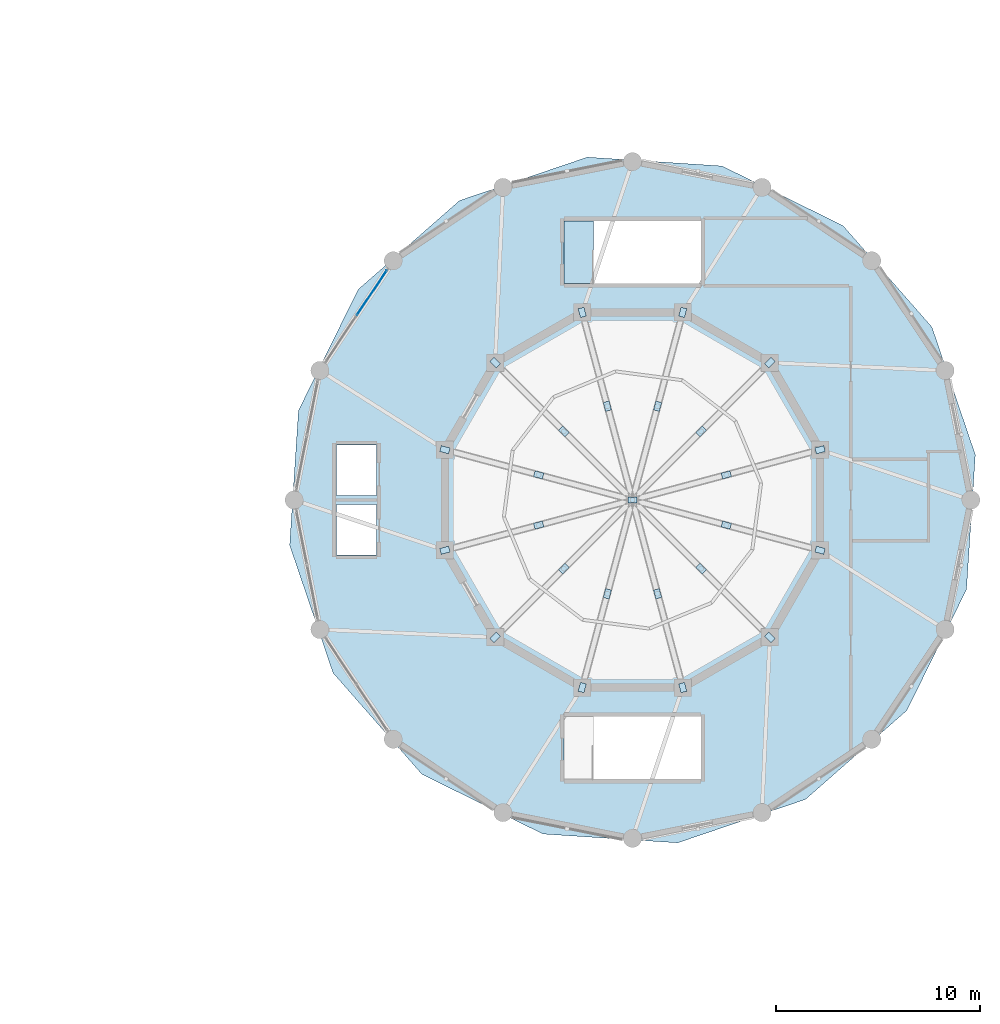
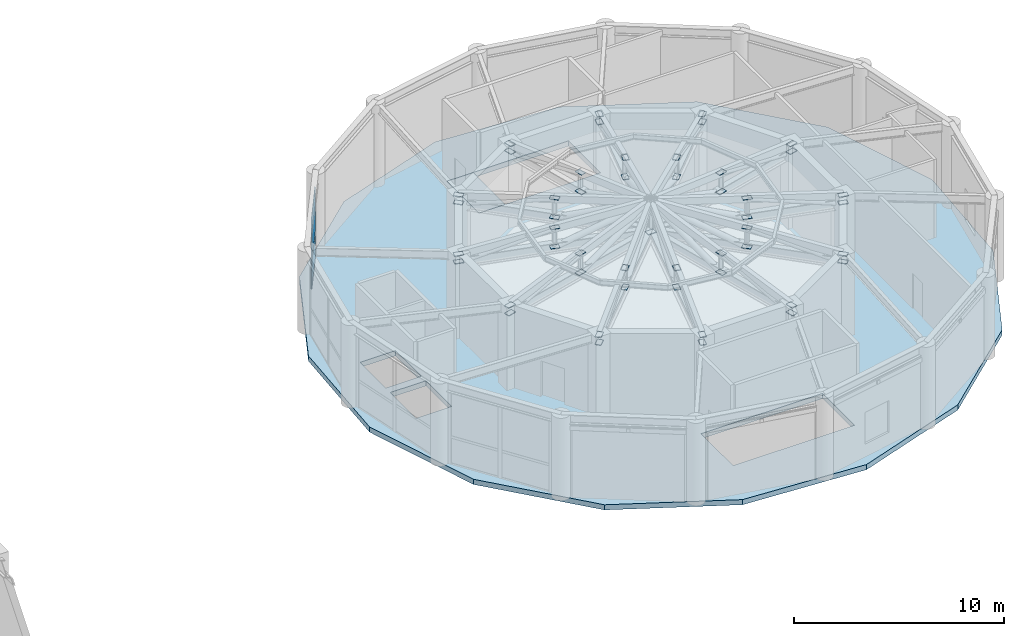
# One storey, part 14 of 26: 51 plates, 2 slabs, 1 element without a shape of its own.
"""IFC4 building model written with IfcOpenShell, lengths in metres."""

from ifc_helpers import new_model, si_unit, derived_unit, direction, frame, origin, origin_2d, place, context, subcontext, project, spatial, polyline, rectangle, outline, extrude, source, transform, mapped, material, layer, layer_set, type_object, element, aggregate, save


model = new_model("IFC4")

# Units and contexts
model_context = context("Model", 3, precision=1e-05, world=origin(), true_north=direction((0.0, 1.0)))
body_context = subcontext(model_context, "Body", "Model", "MODEL_VIEW")
ifc_project = project(units=[si_unit("LENGTHUNIT", "METRE"), si_unit("AREAUNIT", "SQUARE_METRE"), si_unit("VOLUMEUNIT", "CUBIC_METRE"), si_unit("PLANEANGLEUNIT", "RADIAN"), si_unit("MASSUNIT", "GRAM", prefix="KILO"), derived_unit("THERMALTRANSMITTANCEUNIT", [(si_unit("POWERUNIT", "WATT"), 1), (si_unit("LENGTHUNIT", "METRE"), -2), (si_unit("THERMODYNAMICTEMPERATUREUNIT", "KELVIN"), -1)])], contexts=[model_context])

# Site, building, storey
site_placement = place(None, origin())
site = spatial("IfcSite", under=ifc_project, at=site_placement, CompositionType="ELEMENT")
building_placement = place(site_placement, origin())
building = spatial("IfcBuilding", under=site, at=building_placement, Name="Korsvarv Bourse and Concert Hall", CompositionType="ELEMENT")
storey_placement = place(building_placement, frame((0.0, 0.0, 19.199951171875)))
storey = spatial("IfcBuildingStorey", under=building, at=storey_placement, Name="L04", CompositionType="ELEMENT", Elevation=19.199951171875)

# Slabs
ifc_material_1 = material(Name="Concrete C45/55", Category="concrete")
ifc_layer_1 = layer(ifc_material_1, 0.300048828125)
ifc_layer_set_1 = layer_set([ifc_layer_1], Name="Concrete C45/55")
slab_type_1 = type_object("IfcSlabType", Name="SLB-CH0", PredefinedType="FLOOR", material=ifc_layer_set_1)
slab_1_placement = place(storey_placement, frame((0.0, 0.0, -0.300048828125)))
element("IfcSlab", 1, at=slab_1_placement, inside=storey, type_object=slab_type_1, Name="L04 Concert Hall floor slab", PredefinedType="FLOOR", context=body_context, shape_type="SweptSolid", body=[
    extrude(outline(polyline([(123.572509765625, 38.2080078125), (121.45068359375, 44.45849609375), (117.098388671875, 49.42138671875), (111.178466796875, 52.3408203125), (104.591796875, 52.7724609375), (98.34130859375, 50.650634765625), (93.378662109375, 46.298583984375), (90.459228515625, 40.37841796875), (90.027587890625, 33.7919921875), (92.1494140625, 27.54150390625), (96.50146484375, 22.57861328125), (102.42138671875, 19.6591796875), (109.008056640625, 19.2275390625), (115.258544921875, 21.349365234375), (120.22119140625, 25.701416015625), (123.140625, 31.62158203125), (123.572509765625, 38.2080078125)]), holes=[polyline([(103.449951171875, 46.60009765625), (110.14990234375, 46.60009765625), (110.14990234375, 49.659912109375), (103.449951171875, 49.659912109375), (103.449951171875, 46.60009765625)]), polyline([(103.449951171875, 22.340087890625), (110.14990234375, 22.340087890625), (110.14990234375, 25.39990234375), (103.449951171875, 25.39990234375), (103.449951171875, 22.340087890625)]), polyline([(92.320068359375, 36.219970703125), (94.280029296875, 36.219970703125), (94.280029296875, 38.679931640625), (92.320068359375, 38.679931640625), (92.320068359375, 36.219970703125)]), polyline([(92.320068359375, 33.320068359375), (94.280029296875, 33.320068359375), (94.280029296875, 35.780029296875), (92.320068359375, 35.780029296875), (92.320068359375, 33.320068359375)])]), origin(), (0.0, 0.0, 1.0), 0.300048828125),
])
ifc_material_2 = material(Name="Precast concrete C45/55", Category="concrete")
ifc_layer_2 = layer(ifc_material_2, 0.199951171875)
ifc_layer_set_2 = layer_set([ifc_layer_2], Name="Precast concrete C45/55")
slab_type_2 = type_object("IfcSlabType", Name="SLB-FLND-T", PredefinedType="LANDING", material=ifc_layer_set_2)
slab_2_placement = place(storey_placement, frame((0.0, 0.0, -0.199951171875)))
element("IfcSlab", 2, at=slab_2_placement, inside=storey, type_object=slab_type_2, Name="L04 Stair ST-CH1 Floor Landing Slab", PredefinedType="LANDING", context=body_context, shape_type="SweptSolid", body=[
    extrude(outline(polyline([(103.449951171875, 46.60009765625), (104.89990234375, 46.60009765625), (104.89990234375, 49.659912109375), (103.449951171875, 49.659912109375), (103.449951171875, 46.60009765625)])), origin(), (0.0, 0.0, 1.0), 0.199951171875),
])

# Plates
ifc_material_3 = material(Name="Steel S355", Category="steel")
ifc_layer_3 = layer(ifc_material_3, 0.02197265625)
ifc_layer_set_3 = layer_set([ifc_layer_3], Name="Steel S355")
plate_type_1 = type_object("IfcPlateType", Name="PLT-KN7", PredefinedType="SHEET", material=ifc_layer_set_3)
shared_shape_1 = source(origin(), body_context, "Body", "SweptSolid", [
    extrude(rectangle(XDim=0.449951171875, YDim=0.300048828125, at=origin_2d()), origin(), (0.0, 0.0, 1.0), 0.02197265625),
])
for number, where, z_axis, x_axis, name in (
    (3, (115.976318359375, 38.458740234375, 4.589111328125), (0.0, 0.0, 1.0), (0.965925826289, 0.258819045103, 0.0), "L04 node cap plate KN7"),
    (4, (115.976318359375, 38.458740234375, 4.13916015625), (0.0, 0.0, 1.0), (0.965925826289, 0.258819045103, 0.0), "L04 node cap plate KN7"),
    (5, (111.38818359375, 37.2294921875, 5.26904296875), (0.0, 0.0, 1.0), (0.965925826289, 0.258819045103, 0.0), "L04 node cap plate KN7"),
    (6, (111.38818359375, 37.2294921875, 4.13916015625), (0.0, 0.0, 1.0), (0.965925826289, 0.258819045103, 0.0), "L04 node cap plate KN7"),
    (7, (102.2119140625, 34.7705078125, 4.13916015625), (0.0, 0.0, 1.0), (0.965925826289, 0.258819045103, 0.0), "L04 node cap plate KN7"),
    (8, (97.623779296875, 33.541259765625, 4.589111328125), (0.0, 0.0, 1.0), (0.965925826289, 0.258819045103, 0.0), "L04 node cap plate KN7"),
    (9, (97.623779296875, 33.541259765625, 4.13916015625), (0.0, 0.0, 1.0), (0.965925826289, 0.258819045103, 0.0), "L04 node cap plate KN7"),
    (10, (102.2119140625, 34.7705078125, 5.26904296875), (0.0, 0.0, 1.0), (0.965925826289, 0.258819045103, 0.0), "L04 node cap plate KN7"),
    (11, (106.800048828125, 36.0, 4.13916015625), (0.0, 0.0, 1.0), (1.0, 0.0, 0.0), "L04 node cap plate KN7"),
    (12, (113.517578125, 42.717529296875, 4.589111328125), (0.0, 0.0, 1.0), (0.707106781187, 0.707106781187, 0.0), "L04 node cap plate KN7"),
    (13, (113.517578125, 42.717529296875, 4.13916015625), (0.0, 0.0, 1.0), (0.707106781187, 0.707106781187, 0.0), "L04 node cap plate KN7"),
    (14, (110.15869140625, 39.35888671875, 5.26904296875), (0.0, 0.0, 1.0), (0.707106781187, 0.707106781187, 0.0), "L04 node cap plate KN7"),
    (15, (110.15869140625, 39.35888671875, 4.13916015625), (0.0, 0.0, 1.0), (0.707106781187, 0.707106781187, 0.0), "L04 node cap plate KN7"),
    (16, (103.441162109375, 32.64111328125, 4.13916015625), (0.0, 0.0, 1.0), (0.707106781187, 0.707106781187, 0.0), "L04 node cap plate KN7"),
    (17, (100.08251953125, 29.282470703125, 4.589111328125), (0.0, 0.0, 1.0), (0.707106781187, 0.707106781187, 0.0), "L04 node cap plate KN7"),
    (18, (100.08251953125, 29.282470703125, 4.13916015625), (0.0, 0.0, 1.0), (0.707106781187, 0.707106781187, 0.0), "L04 node cap plate KN7"),
    (19, (103.441162109375, 32.64111328125, 5.26904296875), (0.0, 0.0, 1.0), (0.707106781187, 0.707106781187, 0.0), "L04 node cap plate KN7"),
    (20, (109.2587890625, 45.17626953125, 4.589111328125), (0.0, 0.0, 1.0), (0.258819045103, 0.965925826289, 0.0), "L04 node cap plate KN7"),
    (21, (109.2587890625, 45.17626953125, 4.13916015625), (0.0, 0.0, 1.0), (0.258819045103, 0.965925826289, 0.0), "L04 node cap plate KN7"),
    (22, (108.029296875, 40.588134765625, 5.26904296875), (0.0, 0.0, 1.0), (0.258819045103, 0.965925826289, 0.0), "L04 node cap plate KN7"),
    (23, (108.029296875, 40.588134765625, 4.13916015625), (0.0, 0.0, 1.0), (0.258819045103, 0.965925826289, 0.0), "L04 node cap plate KN7"),
    (24, (105.570556640625, 31.411865234375, 4.13916015625), (0.0, 0.0, 1.0), (0.258819045103, 0.965925826289, 0.0), "L04 node cap plate KN7"),
    (25, (104.34130859375, 26.82373046875, 4.589111328125), (0.0, 0.0, 1.0), (0.258819045103, 0.965925826289, 0.0), "L04 node cap plate KN7"),
    (26, (104.34130859375, 26.82373046875, 4.13916015625), (0.0, 0.0, 1.0), (0.258819045103, 0.965925826289, 0.0), "L04 node cap plate KN7"),
    (27, (105.570556640625, 31.411865234375, 5.26904296875), (0.0, 0.0, 1.0), (0.258819045103, 0.965925826289, 0.0), "L04 node cap plate KN7"),
    (28, (104.34130859375, 45.17626953125, 4.589111328125), (0.0, 0.0, 1.0), (-0.258819045103, 0.965925826289, 0.0), "L04 node cap plate KN7"),
    (29, (104.34130859375, 45.17626953125, 4.13916015625), (0.0, 0.0, 1.0), (-0.258819045103, 0.965925826289, 0.0), "L04 node cap plate KN7"),
    (30, (105.570556640625, 40.588134765625, 5.26904296875), (0.0, 0.0, 1.0), (-0.258819045103, 0.965925826289, 0.0), "L04 node cap plate KN7"),
    (31, (105.570556640625, 40.588134765625, 4.13916015625), (0.0, 0.0, 1.0), (-0.258819045103, 0.965925826289, 0.0), "L04 node cap plate KN7"),
    (32, (108.029296875, 31.411865234375, 4.13916015625), (0.0, 0.0, 1.0), (-0.258819045103, 0.965925826289, 0.0), "L04 node cap plate KN7"),
    (33, (109.2587890625, 26.82373046875, 4.589111328125), (0.0, 0.0, 1.0), (-0.258819045103, 0.965925826289, 0.0), "L04 node cap plate KN7"),
    (34, (109.2587890625, 26.82373046875, 4.13916015625), (0.0, 0.0, 1.0), (-0.258819045103, 0.965925826289, 0.0), "L04 node cap plate KN7"),
    (35, (108.029296875, 31.411865234375, 5.26904296875), (0.0, 0.0, 1.0), (-0.258819045103, 0.965925826289, 0.0), "L04 node cap plate KN7"),
    (36, (100.08251953125, 42.717529296875, 4.589111328125), (0.0, 0.0, 1.0), (-0.707106781187, 0.707106781187, 0.0), "L04 node cap plate KN7"),
    (37, (100.08251953125, 42.717529296875, 4.13916015625), (0.0, 0.0, 1.0), (-0.707106781187, 0.707106781187, 0.0), "L04 node cap plate KN7"),
    (38, (103.441162109375, 39.35888671875, 5.26904296875), (0.0, 0.0, 1.0), (-0.707106781187, 0.707106781187, 0.0), "L04 node cap plate KN7"),
    (39, (103.441162109375, 39.35888671875, 4.13916015625), (0.0, 0.0, 1.0), (-0.707106781187, 0.707106781187, 0.0), "L04 node cap plate KN7"),
    (40, (110.15869140625, 32.64111328125, 4.13916015625), (0.0, 0.0, 1.0), (-0.707106781187, 0.707106781187, 0.0), "L04 node cap plate KN7"),
    (41, (113.517578125, 29.282470703125, 4.589111328125), (0.0, 0.0, 1.0), (-0.707106781187, 0.707106781187, 0.0), "L04 node cap plate KN7"),
    (42, (113.517578125, 29.282470703125, 4.13916015625), (0.0, 0.0, 1.0), (-0.707106781187, 0.707106781187, 0.0), "L04 node cap plate KN7"),
    (43, (110.15869140625, 32.64111328125, 5.26904296875), (0.0, 0.0, 1.0), (-0.707106781187, 0.707106781187, 0.0), "L04 node cap plate KN7"),
    (44, (97.623779296875, 38.458740234375, 4.589111328125), (0.0, 0.0, 1.0), (-0.965925826289, 0.258819045103, 0.0), "L04 node cap plate KN7"),
    (45, (97.623779296875, 38.458740234375, 4.13916015625), (0.0, 0.0, 1.0), (-0.965925826289, 0.258819045103, 0.0), "L04 node cap plate KN7"),
    (46, (102.2119140625, 37.2294921875, 5.26904296875), (0.0, 0.0, 1.0), (-0.965925826289, 0.258819045103, 0.0), "L04 node cap plate KN7"),
    (47, (102.2119140625, 37.2294921875, 4.13916015625), (0.0, 0.0, 1.0), (-0.965925826289, 0.258819045103, 0.0), "L04 node cap plate KN7"),
    (48, (111.38818359375, 34.7705078125, 4.13916015625), (0.0, 0.0, 1.0), (-0.965925826289, 0.258819045103, 0.0), "L04 node cap plate KN7"),
    (49, (115.976318359375, 33.541259765625, 4.589111328125), (0.0, 0.0, 1.0), (-0.965925826289, 0.258819045103, 0.0), "L04 node cap plate KN7"),
    (50, (115.976318359375, 33.541259765625, 4.13916015625), (0.0, 0.0, 1.0), (-0.965925826289, 0.258819045103, 0.0), "L04 node cap plate KN7"),
    (51, (111.38818359375, 34.7705078125, 5.26904296875), (0.0, 0.0, 1.0), (-0.965925826289, 0.258819045103, 0.0), "L04 node cap plate KN7"),
):
    element("IfcPlate", number, at=place(storey_placement, frame(where, z_axis=z_axis, x_axis=x_axis)), inside=storey, type_object=plate_type_1, Name=name, PredefinedType="SHEET", context=body_context, shape_type="MappedRepresentation", body=[
        mapped(shared_shape_1, transform((0.0, 0.0, 0.0), scale=1.0)),
    ])

# Curtain wall, plates
ifc_material_4 = material(Name="Anodised aluminium and triple low-E glazing", Category="glass")
ifc_layer_4 = layer(ifc_material_4, 0.22998046875)
ifc_layer_set_4 = layer_set([ifc_layer_4], Name="Anodised aluminium and triple low-E glazing")
curtain_wall_type = type_object("IfcCurtainWallType", Name="CW-SYS-6", PredefinedType="NOTDEFINED", material=ifc_layer_set_4)
curtain_wall_placement = place(storey_placement, origin())
curtain_wall = element("IfcCurtainWall", 52, at=curtain_wall_placement, inside=storey, type_object=curtain_wall_type, Name="L04 CW6 curtain wall CW-L04-CH07", PredefinedType="NOTDEFINED")
ifc_material_5 = material(Name="Tempered triple insulated low-E architectural glass", Category="glass")
ifc_layer_5 = layer(ifc_material_5, 0.0380859375)
ifc_layer_set_5 = layer_set([ifc_layer_5], Name="Tempered triple insulated low-E architectural glass")
plate_type_2 = type_object("IfcPlateType", Name="CWP-VIS2", PredefinedType="CURTAIN_PANEL", material=ifc_layer_set_5)
shared_shape_2 = source(origin(), body_context, "Body", "SweptSolid", [
    extrude(rectangle(XDim=2.62353515625, YDim=0.0380859375, at=origin_2d()), origin(), (0.0, 0.0, 1.0), 1.517578125),
])
plate_1_placement = place(storey_placement, frame((94.0517578125, 46.1376953125, 0.06494140625), z_axis=(0.0, 0.0, 1.0), x_axis=(-0.555571024599, -0.831469083386, 0.0)))
plate_1 = element("IfcPlate", 53, at=plate_1_placement, type_object=plate_type_2, Name="CW6 panel 1.1", PredefinedType="CURTAIN_PANEL", context=body_context, shape_type="MappedRepresentation", body=[
    mapped(shared_shape_2, transform((0.0, 0.0, 0.0), scale=1.0)),
])
shared_shape_3 = source(origin(), body_context, "Body", "SweptSolid", [
    extrude(rectangle(XDim=2.62353515625, YDim=0.0380859375, at=origin_2d()), origin(), (0.0, 0.0, 1.0), 2.53759765625),
])
plate_2_placement = place(storey_placement, frame((94.0517578125, 46.1376953125, 1.6474609375), z_axis=(0.0, 0.0, 1.0), x_axis=(-0.555571024599, -0.831469083386, 0.0)))
plate_2 = element("IfcPlate", 54, at=plate_2_placement, type_object=plate_type_2, Name="CW6 panel 1.2", PredefinedType="CURTAIN_PANEL", context=body_context, shape_type="MappedRepresentation", body=[
    mapped(shared_shape_3, transform((0.0, 0.0, 0.0), scale=1.0)),
])
aggregate(curtain_wall, [plate_1, plate_2])

save(model, "model.ifc")
